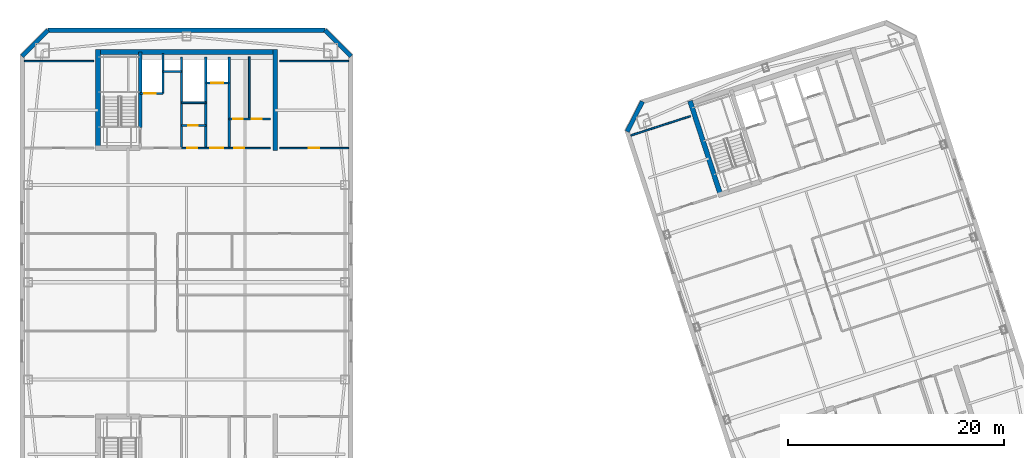
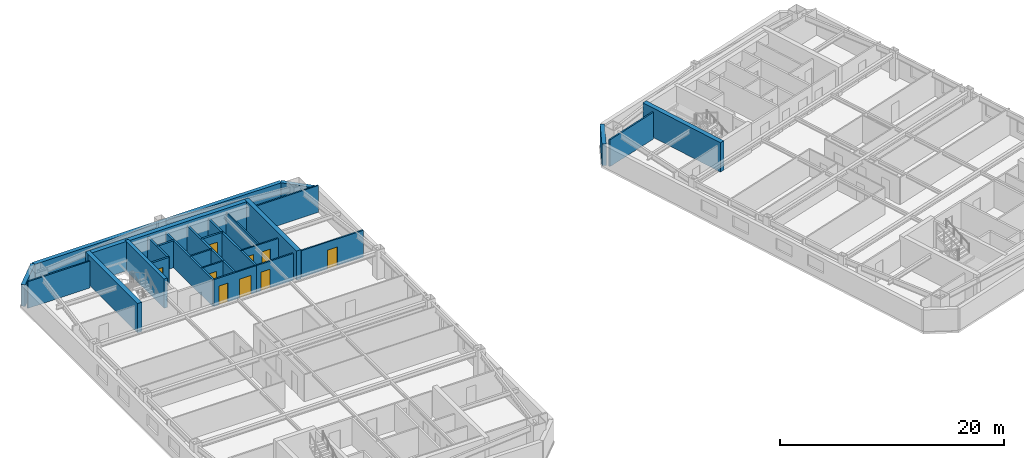
# One storey, part 7 of 13: 26 walls, 9 doors, 9 openings.
"""IFC4 building model written with IfcOpenShell, lengths in metres."""

from ifc_helpers import new_model, si_unit, direction, frame, frame_2d, origin, place, context, subcontext, project, spatial, rectangle, extrude, material, layer, layer_set, type_object, element, fill, save


model = new_model("IFC4")

# Units and contexts
model_context = context("Model", 3, precision=1e-05, world=origin(), true_north=direction((0.0, 1.0)))
body_context = subcontext(model_context, "Body", "Model", "MODEL_VIEW")
ifc_project = project(units=[si_unit("LENGTHUNIT", "METRE"), si_unit("AREAUNIT", "SQUARE_METRE"), si_unit("VOLUMEUNIT", "CUBIC_METRE"), si_unit("PLANEANGLEUNIT", "RADIAN"), si_unit("MASSUNIT", "GRAM", prefix="KILO")], contexts=[model_context])

# Site, building, storey
site_placement = place(None, origin())
site = spatial("IfcSite", under=ifc_project, at=site_placement, CompositionType="ELEMENT")
building_placement = place(site_placement, origin())
building = spatial("IfcBuilding", under=site, at=building_placement, Name="Qiaolan Cultural Towers", CompositionType="ELEMENT")
storey_placement = place(building_placement, frame((0.0, 0.0, 234.39990234375)))
storey = spatial("IfcBuildingStorey", under=building, at=storey_placement, Name="L63", CompositionType="ELEMENT", Elevation=234.39990234375)

# Walls
ifc_material_1 = material(Name="Concrete C50", Category="concrete")
ifc_layer_1 = layer(ifc_material_1, 0.35009765625)
ifc_layer_set_1 = layer_set([ifc_layer_1], Name="Concrete C50")
wall_type_1 = type_object("IfcWallType", Name="WL-CORE-350", PredefinedType="SHEAR", material=ifc_layer_set_1)
wall_1_placement = place(storey_placement, frame((25.719970703125, 48.300048828125, 0.0), z_axis=(0.0, 0.0, 1.0), x_axis=(0.0, 1.0, 0.0)))
element("IfcWall", 1, at=wall_1_placement, inside=storey, type_object=wall_type_1, Name="L63 T1-CN Stair Core Dividing Web", PredefinedType="SHEAR", context=body_context, shape_type="SweptSolid", body=[
    extrude(rectangle(XDim=6.97998046875, YDim=0.35009765625, at=frame_2d((3.489990234375, 0.0))), origin(), (0.0, 0.0, 1.0), 3.2001953125),
])
ifc_material_2 = material(Name="Concrete C50", Category="concrete")
ifc_layer_2 = layer(ifc_material_2, 0.449951171875)
ifc_layer_set_2 = layer_set([ifc_layer_2], Name="Concrete C50")
wall_type_2 = type_object("IfcWallType", Name="WL-CORE-450", PredefinedType="SHEAR", material=ifc_layer_set_2)
wall_2_placement = place(storey_placement, frame((21.574951171875, 55.280029296875, 0.0), z_axis=(0.0, 0.0, 1.0), x_axis=(1.0, 0.0, 0.0)))
element("IfcWall", 2, at=wall_2_placement, inside=storey, type_object=wall_type_2, Name="L63 T1-CN Outer Core Shear Wall", PredefinedType="SHEAR", context=body_context, shape_type="SweptSolid", body=[
    extrude(rectangle(XDim=16.85009765625, YDim=0.449951171875, at=frame_2d((8.425048828125, 0.0))), origin(), (0.0, 0.0, 1.0), 3.2001953125),
])
for number, where, z_axis, x_axis, name in (
    (3, (21.800048828125, 46.175048828125, 0.0), (0.0, 0.0, 1.0), (0.0, 1.0, 0.0), "L63 T1-CN West Core Shear Wall"),
    (4, (38.199951171875, 46.175048828125, 0.0), (0.0, 0.0, 1.0), (0.0, 1.0, 0.0), "L63 T1-CN East Core Shear Wall"),
):
    element("IfcWall", number, at=place(storey_placement, frame(where, z_axis=z_axis, x_axis=x_axis)), inside=storey, type_object=wall_type_2, Name=name, PredefinedType="SHEAR", context=body_context, shape_type="SweptSolid", body=[
        extrude(rectangle(XDim=9.329833984375, YDim=0.449951171875, at=frame_2d((4.6650390625, 0.0))), origin(), (0.0, 0.0, 1.0), 3.2001953125),
    ])
wall_3_placement = place(storey_placement, frame((79.4423828125, 41.899169921875, 0.0), z_axis=(0.0, 0.0, 1.0), x_axis=(-0.309035778627, 0.951050412717, 0.0)))
element("IfcWall", 5, at=wall_3_placement, inside=storey, type_object=wall_type_2, Name="L63 T2-CN West Core Shear Wall", PredefinedType="SHEAR", context=body_context, shape_type="SweptSolid", body=[
    extrude(rectangle(XDim=9.330078125, YDim=0.449951171875, at=frame_2d((4.6650390625, 0.0))), origin(), (0.0, 0.0, 1.0), 3.2001953125),
])
ifc_material_3 = material(Name="Precast Concrete C50 Honed Stone Pier", Category="masonry")
ifc_layer_3 = layer(ifc_material_3, 0.39990234375)
ifc_layer_set_3 = layer_set([ifc_layer_3], Name="Precast Concrete C50 Honed Stone Pier")
wall_type_3 = type_object("IfcWallType", Name="WL-EXT-PIER-400", PredefinedType="SOLIDWALL", material=ifc_layer_set_3)
wall_4_placement = place(storey_placement, frame((14.800048828125, 54.89990234375, 0.0), z_axis=(0.0, 0.0, 1.0), x_axis=(0.707070815327, 0.707142745217, 0.0)))
element("IfcWall", 6, at=wall_4_placement, inside=storey, type_object=wall_type_3, Name="L63 West Tower Precast Pier Facade Wall F2", PredefinedType="SOLIDWALL", context=body_context, shape_type="SweptSolid", body=[
    extrude(rectangle(XDim=3.39404296875, YDim=0.39990234375, at=frame_2d((1.697021484375, 0.0))), origin(), (0.0, 0.0, 1.0), 2.360107421875),
])
wall_5_placement = place(storey_placement, frame((17.199951171875, 57.300048828125, 0.0), z_axis=(0.0, 0.0, 1.0), x_axis=(1.0, 0.0, 0.0)))
element("IfcWall", 7, at=wall_5_placement, inside=storey, type_object=wall_type_3, Name="L63 West Tower Precast Pier Facade Wall F3", PredefinedType="SOLIDWALL", context=body_context, shape_type="SweptSolid", body=[
    extrude(rectangle(XDim=25.60009765625, YDim=0.39990234375, at=frame_2d((12.800048828125, 0.0))), origin(), (0.0, 0.0, 1.0), 2.360107421875),
])
wall_6_placement = place(storey_placement, frame((42.800048828125, 57.300048828125, 0.0), z_axis=(0.0, 0.0, 1.0), x_axis=(0.707070815327, -0.707142745217, 0.0)))
element("IfcWall", 8, at=wall_6_placement, inside=storey, type_object=wall_type_3, Name="L63 West Tower Precast Pier Facade Wall F4", PredefinedType="SOLIDWALL", context=body_context, shape_type="SweptSolid", body=[
    extrude(rectangle(XDim=3.39404296875, YDim=0.39990234375, at=frame_2d((1.697021484375, 0.0))), origin(), (0.0, 0.0, 1.0), 2.360107421875),
])
wall_7_placement = place(storey_placement, frame((70.752197265625, 47.93408203125, 0.0), z_axis=(0.0, 0.0, 1.0), x_axis=(0.453949291228, 0.891027519774, 0.0)))
element("IfcWall", 9, at=wall_7_placement, inside=storey, type_object=wall_type_3, Name="L63 East Tower Precast Pier Facade Wall F2", PredefinedType="SOLIDWALL", context=body_context, shape_type="SweptSolid", body=[
    extrude(rectangle(XDim=3.111328125, YDim=0.39990234375, at=frame_2d((1.5556640625, 0.0))), origin(), (0.0, 0.0, 1.0), 2.360107421875),
])
ifc_material_4 = material(Name="Concrete C35 Fire Wall", Category="concrete")
ifc_layer_4 = layer(ifc_material_4, 0.199951171875)
ifc_layer_set_4 = layer_set([ifc_layer_4], Name="Concrete C35 Fire Wall")
wall_type_4 = type_object("IfcWallType", Name="WL-FIRE-200", PredefinedType="PARTITIONING", material=ifc_layer_set_4)
wall_8_placement = place(storey_placement, frame((29.550048828125, 46.39990234375, 0.0), z_axis=(0.0, 0.0, 1.0), x_axis=(0.0, 1.0, 0.0)))
element("IfcWall", 10, at=wall_8_placement, inside=storey, type_object=wall_type_4, Name="L63 T1-CN Firefighting Zone Wall", PredefinedType="PARTITIONING", context=body_context, shape_type="SweptSolid", body=[
    extrude(rectangle(XDim=8.43017578125, YDim=0.199951171875, at=frame_2d((4.215087890625, 0.0))), origin(), (0.0, 0.0, 1.0), 2.925048828125),
])

# Wall, opening, door
wall_9_placement = place(storey_placement, frame((25.719970703125, 51.449951171875, 0.0), z_axis=(0.0, 0.0, 1.0), x_axis=(1.0, 0.0, 0.0)))
wall_9 = element("IfcWall", 11, at=wall_9_placement, inside=storey, type_object=wall_type_4, Name="L63 T1-CN Firefighting Shaft Front Wall", PredefinedType="PARTITIONING", context=body_context, shape_type="SweptSolid", body=[
    extrude(rectangle(XDim=2.10009765625, YDim=0.199951171875, at=frame_2d((1.050048828125, 0.0))), origin(), (0.0, 0.0, 1.0), 2.925048828125),
])
opening_1_placement = place(wall_9_placement, frame((0.35009765625, 0.0, 0.0)))
opening_1 = element("IfcOpeningElement", 12, at=opening_1_placement, cuts=wall_9, Name="Opening LD-01", PredefinedType="OPENING", context=body_context, shape_type="SweptSolid", body=[
    extrude(rectangle(XDim=1.10009765625, YDim=2.050048828125, at=frame_2d((0.550048828125, 1.02490234375))), frame((0.0, 0.10986328125, 0.0), z_axis=(0.0, -1.0, 0.0), x_axis=(1.0, 0.0, 0.0)), (0.0, 0.0, 1.0), 0.219970703125),
])
ifc_material_5 = material(Name="Brushed Stainless Steel S30408 Centre-Parting Lift Landing Door", Category="steel")
door_type_1 = type_object("IfcDoorType", Name="DR-LIFT-1100", OperationType="NOTDEFINED", PredefinedType="DOOR", material=ifc_material_5)
door_1_placement = place(opening_1_placement, origin())
door_1 = element("IfcDoor", 13, at=door_1_placement, inside=storey, type_object=door_type_1, Name="L63 FFL-W2 Firefighting Lift Landing Door", OperationType="DOUBLE_DOOR_SLIDING", OverallHeight=2.050048828125, OverallWidth=1.10009765625, PredefinedType="DOOR", context=body_context, shape_type="SweptSolid", body=[
    extrude(rectangle(XDim=1.10009765625, YDim=2.050048828125, at=frame_2d((0.550048828125, 1.02490234375))), frame((0.0, 0.02490234375, 0.0), z_axis=(0.0, -1.0, 0.0), x_axis=(1.0, 0.0, 0.0)), (0.0, 0.0, 1.0), 0.050048828125),
])
fill(opening_1, door_1)

# Walls
wall_10_placement = place(storey_placement, frame((27.820068359375, 51.449951171875, 0.0), z_axis=(0.0, 0.0, 1.0), x_axis=(0.0, 1.0, 0.0)))
element("IfcWall", 14, at=wall_10_placement, inside=storey, type_object=wall_type_4, Name="L63 T1-CN Firefighting Hoistway East Wall", PredefinedType="PARTITIONING", context=body_context, shape_type="SweptSolid", body=[
    extrude(rectangle(XDim=3.699951171875, YDim=0.199951171875, at=frame_2d((1.85009765625, 0.0))), origin(), (0.0, 0.0, 1.0), 2.925048828125),
])
wall_11_placement = place(storey_placement, frame((27.820068359375, 53.47998046875, 0.0), z_axis=(0.0, 0.0, 1.0), x_axis=(1.0, 0.0, 0.0)))
element("IfcWall", 15, at=wall_11_placement, inside=storey, type_object=wall_type_4, Name="L63 T1-CN Pressurization Shaft Front Wall", PredefinedType="PARTITIONING", context=body_context, shape_type="SweptSolid", body=[
    extrude(rectangle(XDim=1.72998046875, YDim=0.199951171875, at=frame_2d((0.864990234375, 0.0))), origin(), (0.0, 0.0, 1.0), 2.925048828125),
])
for number, where, z_axis, x_axis, name in (
    (16, (33.949951171875, 46.39990234375, 0.0), (0.0, 0.0, 1.0), (0.0, 1.0, 0.0), "L63 T1-CN Lift Core East Wall"),
    (17, (31.780029296875, 46.39990234375, 0.0), (0.0, 0.0, 1.0), (0.0, 1.0, 0.0), "L63 T1-CN Sky Shuttle Lift Zone Wall"),
):
    element("IfcWall", number, at=place(storey_placement, frame(where, z_axis=z_axis, x_axis=x_axis)), inside=storey, type_object=wall_type_4, Name=name, PredefinedType="PARTITIONING", context=body_context, shape_type="SweptSolid", body=[
        extrude(rectangle(XDim=8.43017578125, YDim=0.199951171875, at=frame_2d((4.215087890625, 0.0))), origin(), (0.0, 0.0, 1.0), 2.925048828125),
    ])

# Wall, opening, door
wall_12_placement = place(storey_placement, frame((31.780029296875, 52.419921875, 0.0), z_axis=(0.0, 0.0, 1.0), x_axis=(1.0, 0.0, 0.0)))
wall_12 = element("IfcWall", 18, at=wall_12_placement, inside=storey, type_object=wall_type_4, Name="L63 T1-CN Shuttle Lift Shaft Front", PredefinedType="PARTITIONING", context=body_context, shape_type="SweptSolid", body=[
    extrude(rectangle(XDim=2.169921875, YDim=0.199951171875, at=frame_2d((1.0849609375, 0.0))), origin(), (0.0, 0.0, 1.0), 2.925048828125),
])
opening_2_placement = place(wall_12_placement, frame((0.52001953125, 0.0, 0.0)))
opening_2 = element("IfcOpeningElement", 19, at=opening_2_placement, cuts=wall_12, Name="Opening LD-01", PredefinedType="OPENING", context=body_context, shape_type="SweptSolid", body=[
    extrude(rectangle(XDim=1.10009765625, YDim=2.050048828125, at=frame_2d((0.550048828125, 1.02490234375))), frame((0.0, 0.10986328125, 0.0), z_axis=(0.0, -1.0, 0.0), x_axis=(1.0, 0.0, 0.0)), (0.0, 0.0, 1.0), 0.219970703125),
])
door_2_placement = place(opening_2_placement, origin())
door_2 = element("IfcDoor", 20, at=door_2_placement, inside=storey, type_object=door_type_1, Name="L63 Sky Shuttle Lift Landing Door", OperationType="DOUBLE_DOOR_SLIDING", OverallHeight=2.050048828125, OverallWidth=1.10009765625, PredefinedType="DOOR", context=body_context, shape_type="SweptSolid", body=[
    extrude(rectangle(XDim=1.10009765625, YDim=2.050048828125, at=frame_2d((0.550048828125, 1.02490234375))), frame((0.0, 0.02490234375, 0.0), z_axis=(0.0, -1.0, 0.0), x_axis=(1.0, 0.0, 0.0)), (0.0, 0.0, 1.0), 0.050048828125),
])
fill(opening_2, door_2)

# Wall, openings, doors
ifc_material_6 = material(Name="Autoclaved Aerated Concrete Block B06", Category="concrete")
ifc_layer_5 = layer(ifc_material_6, 0.14990234375)
ifc_layer_set_5 = layer_set([ifc_layer_5], Name="Autoclaved Aerated Concrete Block B06")
wall_type_5 = type_object("IfcWallType", Name="WL-PART-150", PredefinedType="PARTITIONING", material=ifc_layer_set_5)
wall_13_placement = place(storey_placement, frame((29.550048828125, 46.39990234375, 0.0), z_axis=(0.0, 0.0, 1.0), x_axis=(1.0, 0.0, 0.0)))
wall_13 = element("IfcWall", 21, at=wall_13_placement, inside=storey, type_object=wall_type_5, Name="L63 T1-CN High-Zone Lift Lobby Wall", PredefinedType="PARTITIONING", context=body_context, shape_type="SweptSolid", body=[
    extrude(rectangle(XDim=4.39990234375, YDim=0.14990234375, at=frame_2d((2.199951171875, 0.0))), origin(), (0.0, 0.0, 1.0), 2.925048828125),
])
opening_3_placement = place(wall_13_placement, frame((0.5, 0.0, 0.0)))
opening_3 = element("IfcOpeningElement", 22, at=opening_3_placement, cuts=wall_13, Name="Opening ID-05", PredefinedType="OPENING", context=body_context, shape_type="SweptSolid", body=[
    extrude(rectangle(XDim=0.949951171875, YDim=2.050048828125, at=frame_2d((0.47509765625, 1.02490234375))), frame((0.0, 0.0849609375, 0.0), z_axis=(0.0, -1.0, 0.0), x_axis=(1.0, 0.0, 0.0)), (0.0, 0.0, 1.0), 0.169921875),
])
opening_4_placement = place(wall_13_placement, frame((2.64990234375, 0.0, 0.0)))
opening_4 = element("IfcOpeningElement", 23, at=opening_4_placement, cuts=wall_13, Name="Opening FD-06", PredefinedType="OPENING", context=body_context, shape_type="SweptSolid", body=[
    extrude(rectangle(XDim=1.199951171875, YDim=2.050048828125, at=frame_2d((0.60009765625, 1.02490234375))), frame((0.0, 0.0849609375, 0.0), z_axis=(0.0, -1.0, 0.0), x_axis=(1.0, 0.0, 0.0)), (0.0, 0.0, 1.0), 0.169921875),
])
ifc_material_7 = material(Name="Painted Steel Plant Fire Door", Category="steel")
door_type_2 = type_object("IfcDoorType", Name="DR-FD60-1200", OperationType="NOTDEFINED", PredefinedType="DOOR", material=ifc_material_7)
door_3_placement = place(opening_4_placement, origin())
door_3 = element("IfcDoor", 24, at=door_3_placement, inside=storey, type_object=door_type_2, Name="L63 Sky Shuttle Lift Lobby Door", OperationType="SINGLE_SWING_RIGHT", OverallHeight=2.050048828125, OverallWidth=1.199951171875, PredefinedType="DOOR", context=body_context, shape_type="SweptSolid", body=[
    extrude(rectangle(XDim=1.199951171875, YDim=2.050048828125, at=frame_2d((0.60009765625, 1.02490234375))), frame((0.0, 0.02490234375, 0.0), z_axis=(0.0, -1.0, 0.0), x_axis=(1.0, 0.0, 0.0)), (0.0, 0.0, 1.0), 0.050048828125),
])
fill(opening_4, door_3)
ifc_material_8 = material(Name="Fire-Rated Laminate Accessible Core Door", Category="timber")
door_type_3 = type_object("IfcDoorType", Name="DR-INT-950", OperationType="NOTDEFINED", PredefinedType="DOOR", material=ifc_material_8)
door_4_placement = place(opening_3_placement, origin())
door_4 = element("IfcDoor", 25, at=door_4_placement, inside=storey, type_object=door_type_3, Name="L63 Reclaimed Server Room Door", OperationType="SINGLE_SWING_LEFT", OverallHeight=2.050048828125, OverallWidth=0.949951171875, PredefinedType="DOOR", context=body_context, shape_type="SweptSolid", body=[
    extrude(rectangle(XDim=0.949951171875, YDim=2.050048828125, at=frame_2d((0.47509765625, 1.02490234375))), frame((0.0, 0.02490234375, 0.0), z_axis=(0.0, -1.0, 0.0), x_axis=(1.0, 0.0, 0.0)), (0.0, 0.0, 1.0), 0.050048828125),
])
fill(opening_3, door_4)

# Wall
wall_14_placement = place(storey_placement, frame((29.550048828125, 50.60009765625, 0.0), z_axis=(0.0, 0.0, 1.0), x_axis=(1.0, 0.0, 0.0)))
element("IfcWall", 26, at=wall_14_placement, inside=storey, type_object=wall_type_5, Name="L63 T1-CN High-Zone Smoke Shaft Split", PredefinedType="PARTITIONING", context=body_context, shape_type="SweptSolid", body=[
    extrude(rectangle(XDim=2.22998046875, YDim=0.14990234375, at=frame_2d((1.114990234375, 0.0))), origin(), (0.0, 0.0, 1.0), 2.925048828125),
])

# Wall, opening, door
wall_15_placement = place(storey_placement, frame((29.550048828125, 48.5, 0.0), z_axis=(0.0, 0.0, 1.0), x_axis=(1.0, 0.0, 0.0)))
wall_15 = element("IfcWall", 27, at=wall_15_placement, inside=storey, type_object=wall_type_5, Name="L63 T1-CN High-Zone Archive Suite Partition", PredefinedType="PARTITIONING", context=body_context, shape_type="SweptSolid", body=[
    extrude(rectangle(XDim=2.22998046875, YDim=0.14990234375, at=frame_2d((1.114990234375, 0.0))), origin(), (0.0, 0.0, 1.0), 2.925048828125),
])
opening_5_placement = place(wall_15_placement, frame((0.60009765625, 0.0, 0.0)))
opening_5 = element("IfcOpeningElement", 28, at=opening_5_placement, cuts=wall_15, Name="Opening ID-06", PredefinedType="OPENING", context=body_context, shape_type="SweptSolid", body=[
    extrude(rectangle(XDim=0.89990234375, YDim=2.050048828125, at=frame_2d((0.449951171875, 1.02490234375))), frame((0.0, 0.0849609375, 0.0), z_axis=(0.0, -1.0, 0.0), x_axis=(1.0, 0.0, 0.0)), (0.0, 0.0, 1.0), 0.169921875),
])
ifc_material_9 = material(Name="Fire-Rated Laminate Core Service Door", Category="timber")
door_type_4 = type_object("IfcDoorType", Name="DR-INT-900", OperationType="NOTDEFINED", PredefinedType="DOOR", material=ifc_material_9)
door_5_placement = place(opening_5_placement, origin())
door_5 = element("IfcDoor", 29, at=door_5_placement, inside=storey, type_object=door_type_4, Name="L63 Archive Vault Inner Door", OperationType="SINGLE_SWING_LEFT", OverallHeight=2.050048828125, OverallWidth=0.89990234375, PredefinedType="DOOR", context=body_context, shape_type="SweptSolid", body=[
    extrude(rectangle(XDim=0.89990234375, YDim=2.050048828125, at=frame_2d((0.449951171875, 1.02490234375))), frame((0.0, 0.02490234375, 0.0), z_axis=(0.0, -1.0, 0.0), x_axis=(1.0, 0.0, 0.0)), (0.0, 0.0, 1.0), 0.050048828125),
])
fill(opening_5, door_5)

wall_16_placement = place(storey_placement, frame((33.949951171875, 46.39990234375, 0.0), z_axis=(0.0, 0.0, 1.0), x_axis=(1.0, 0.0, 0.0)))
wall_16 = element("IfcWall", 30, at=wall_16_placement, inside=storey, type_object=wall_type_5, Name="L63 T1-CN Sanitary Core Front Wall", PredefinedType="PARTITIONING", context=body_context, shape_type="SweptSolid", body=[
    extrude(rectangle(XDim=3.800048828125, YDim=0.14990234375, at=frame_2d((1.89990234375, 0.0))), origin(), (0.0, 0.0, 1.0), 2.925048828125),
])
opening_6_placement = place(wall_16_placement, frame((0.449951171875, 0.0, 0.0)))
opening_6 = element("IfcOpeningElement", 31, at=opening_6_placement, cuts=wall_16, Name="Opening ID-05", PredefinedType="OPENING", context=body_context, shape_type="SweptSolid", body=[
    extrude(rectangle(XDim=0.949951171875, YDim=2.050048828125, at=frame_2d((0.47509765625, 1.02490234375))), frame((0.0, 0.0849609375, 0.0), z_axis=(0.0, -1.0, 0.0), x_axis=(1.0, 0.0, 0.0)), (0.0, 0.0, 1.0), 0.169921875),
])
door_6_placement = place(opening_6_placement, origin())
door_6 = element("IfcDoor", 32, at=door_6_placement, inside=storey, type_object=door_type_3, Name="L63 Sanitary Vestibule Door", OperationType="SINGLE_SWING_LEFT", OverallHeight=2.050048828125, OverallWidth=0.949951171875, PredefinedType="DOOR", context=body_context, shape_type="SweptSolid", body=[
    extrude(rectangle(XDim=0.949951171875, YDim=2.050048828125, at=frame_2d((0.47509765625, 1.02490234375))), frame((0.0, 0.02490234375, 0.0), z_axis=(0.0, -1.0, 0.0), x_axis=(1.0, 0.0, 0.0)), (0.0, 0.0, 1.0), 0.050048828125),
])
fill(opening_6, door_6)

# Wall, openings, doors
wall_17_placement = place(storey_placement, frame((33.949951171875, 49.10009765625, 0.0), z_axis=(0.0, 0.0, 1.0), x_axis=(1.0, 0.0, 0.0)))
wall_17 = element("IfcWall", 33, at=wall_17_placement, inside=storey, type_object=wall_type_5, Name="L63 T1-CN Restroom Vestibule Wall", PredefinedType="PARTITIONING", context=body_context, shape_type="SweptSolid", body=[
    extrude(rectangle(XDim=3.800048828125, YDim=0.14990234375, at=frame_2d((1.89990234375, 0.0))), origin(), (0.0, 0.0, 1.0), 2.925048828125),
])
opening_7_placement = place(wall_17_placement, frame((0.35009765625, 0.0, 0.0)))
opening_7 = element("IfcOpeningElement", 34, at=opening_7_placement, cuts=wall_17, Name="Opening ID-06", PredefinedType="OPENING", context=body_context, shape_type="SweptSolid", body=[
    extrude(rectangle(XDim=0.89990234375, YDim=2.050048828125, at=frame_2d((0.449951171875, 1.02490234375))), frame((0.0, 0.0849609375, 0.0), z_axis=(0.0, -1.0, 0.0), x_axis=(1.0, 0.0, 0.0)), (0.0, 0.0, 1.0), 0.169921875),
])
opening_8_placement = place(wall_17_placement, frame((2.10009765625, 0.0, 0.0)))
opening_8 = element("IfcOpeningElement", 35, at=opening_8_placement, cuts=wall_17, Name="Opening ID-06", PredefinedType="OPENING", context=body_context, shape_type="SweptSolid", body=[
    extrude(rectangle(XDim=0.89990234375, YDim=2.050048828125, at=frame_2d((0.449951171875, 1.02490234375))), frame((0.0, 0.0849609375, 0.0), z_axis=(0.0, -1.0, 0.0), x_axis=(1.0, 0.0, 0.0)), (0.0, 0.0, 1.0), 0.169921875),
])
door_7_placement = place(opening_7_placement, origin())
door_7 = element("IfcDoor", 36, at=door_7_placement, inside=storey, type_object=door_type_4, Name="L63 Men Restroom Door", OperationType="SINGLE_SWING_LEFT", OverallHeight=2.050048828125, OverallWidth=0.89990234375, PredefinedType="DOOR", context=body_context, shape_type="SweptSolid", body=[
    extrude(rectangle(XDim=0.89990234375, YDim=2.050048828125, at=frame_2d((0.449951171875, 1.02490234375))), frame((0.0, 0.02490234375, 0.0), z_axis=(0.0, -1.0, 0.0), x_axis=(1.0, 0.0, 0.0)), (0.0, 0.0, 1.0), 0.050048828125),
])
fill(opening_7, door_7)
door_8_placement = place(opening_8_placement, origin())
door_8 = element("IfcDoor", 37, at=door_8_placement, inside=storey, type_object=door_type_4, Name="L63 Accessible & Women Restroom Door", OperationType="SINGLE_SWING_RIGHT", OverallHeight=2.050048828125, OverallWidth=0.89990234375, PredefinedType="DOOR", context=body_context, shape_type="SweptSolid", body=[
    extrude(rectangle(XDim=0.89990234375, YDim=2.050048828125, at=frame_2d((0.449951171875, 1.02490234375))), frame((0.0, 0.02490234375, 0.0), z_axis=(0.0, -1.0, 0.0), x_axis=(1.0, 0.0, 0.0)), (0.0, 0.0, 1.0), 0.050048828125),
])
fill(opening_8, door_8)

# Walls
wall_18_placement = place(storey_placement, frame((35.800048828125, 49.10009765625, 0.0), z_axis=(0.0, 0.0, 1.0), x_axis=(0.0, 1.0, 0.0)))
element("IfcWall", 38, at=wall_18_placement, inside=storey, type_object=wall_type_5, Name="L63 T1-CN Restroom Divider Wall", PredefinedType="PARTITIONING", context=body_context, shape_type="SweptSolid", body=[
    extrude(rectangle(XDim=5.72998046875, YDim=0.14990234375, at=frame_2d((2.864990234375, 0.0))), origin(), (0.0, 0.0, 1.0), 2.925048828125),
])
for number, where, z_axis, x_axis, name in (
    (39, (15.0, 54.449951171875, 0.0), (0.0, 0.0, 1.0), (1.0, 0.0, 0.0), "L63 T1 Flank Wall FLK-NW"),
    (40, (38.60009765625, 54.449951171875, 0.0), (0.0, 0.0, 1.0), (1.0, 0.0, 0.0), "L63 T1 Flank Wall FLK-NE"),
):
    element("IfcWall", number, at=place(storey_placement, frame(where, z_axis=z_axis, x_axis=x_axis)), inside=storey, type_object=wall_type_5, Name=name, PredefinedType="PARTITIONING", context=body_context, shape_type="SweptSolid", body=[
        extrude(rectangle(XDim=6.39990234375, YDim=0.14990234375, at=frame_2d((3.199951171875, 0.0))), origin(), (0.0, 0.0, 1.0), 2.925048828125),
    ])

# Wall, opening, door
wall_19_placement = place(storey_placement, frame((38.60009765625, 46.39990234375, 0.0), z_axis=(0.0, 0.0, 1.0), x_axis=(1.0, 0.0, 0.0)))
wall_19 = element("IfcWall", 41, at=wall_19_placement, inside=storey, type_object=wall_type_5, Name="L63 T1 Flank Front FLK-NE", PredefinedType="PARTITIONING", context=body_context, shape_type="SweptSolid", body=[
    extrude(rectangle(XDim=6.39990234375, YDim=0.14990234375, at=frame_2d((3.199951171875, 0.0))), origin(), (0.0, 0.0, 1.0), 2.925048828125),
])
opening_9_placement = place(wall_19_placement, frame((2.68798828125, 0.0, 0.0)))
opening_9 = element("IfcOpeningElement", 42, at=opening_9_placement, cuts=wall_19, Name="Opening ID-04", PredefinedType="OPENING", context=body_context, shape_type="SweptSolid", body=[
    extrude(rectangle(XDim=1.0, YDim=2.050048828125, at=frame_2d((0.5, 1.02490234375))), frame((0.0, 0.0849609375, 0.0), z_axis=(0.0, -1.0, 0.0), x_axis=(1.0, 0.0, 0.0)), (0.0, 0.0, 1.0), 0.169921875),
])
ifc_material_10 = material(Name="Oak Veneer Acoustic Office Door", Category="timber")
door_type_5 = type_object("IfcDoorType", Name="DR-INT-1000", OperationType="NOTDEFINED", PredefinedType="DOOR", material=ifc_material_10)
door_9_placement = place(opening_9_placement, origin())
door_9 = element("IfcDoor", 43, at=door_9_placement, inside=storey, type_object=door_type_5, Name="L63 T1 Corner Studio Door", OperationType="SINGLE_SWING_LEFT", OverallHeight=2.050048828125, OverallWidth=1.0, PredefinedType="DOOR", context=body_context, shape_type="SweptSolid", body=[
    extrude(rectangle(XDim=1.0, YDim=2.050048828125, at=frame_2d((0.5, 1.02490234375))), frame((0.0, 0.02490234375, 0.0), z_axis=(0.0, -1.0, 0.0), x_axis=(1.0, 0.0, 0.0)), (0.0, 0.0, 1.0), 0.050048828125),
])
fill(opening_9, door_9)

# Wall
wall_20_placement = place(storey_placement, frame((71.081298828125, 47.56787109375, 0.0), z_axis=(0.0, 0.0, 1.0), x_axis=(0.951059431056, 0.309008023519, 0.0)))
element("IfcWall", 44, at=wall_20_placement, inside=storey, type_object=wall_type_5, Name="L63 T2 Flank Wall FLK-NW", PredefinedType="PARTITIONING", context=body_context, shape_type="SweptSolid", body=[
    extrude(rectangle(XDim=5.800048828125, YDim=0.14990234375, at=frame_2d((2.89990234375, 0.0))), origin(), (0.0, 0.0, 1.0), 2.925048828125),
])

save(model, "model.ifc")
